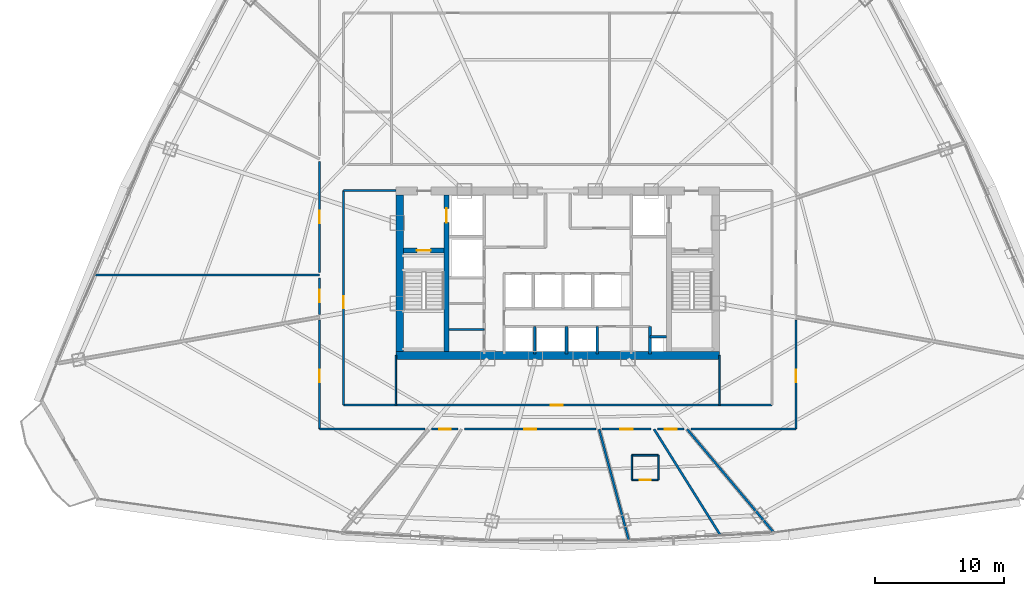
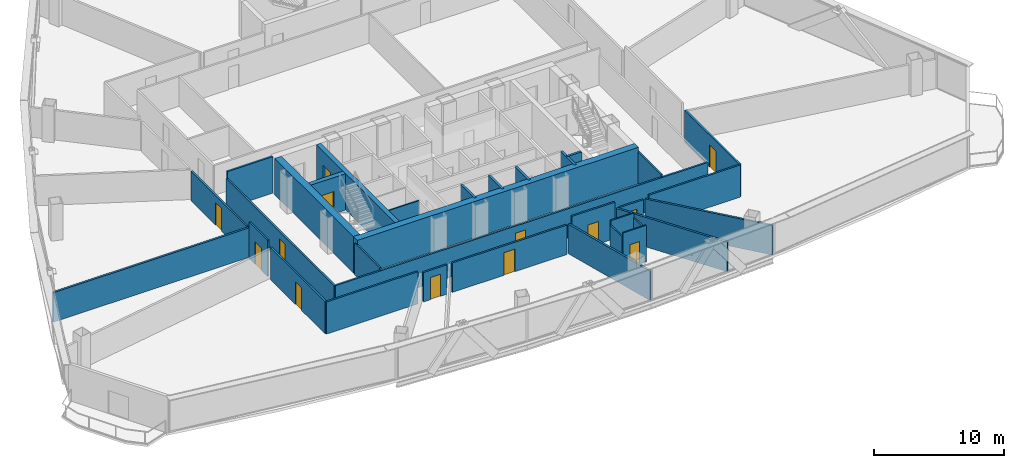
# One storey, part 32 of 39: 33 walls, 13 doors, 13 openings.
"""IFC4 building model written with IfcOpenShell, lengths in metres."""

from ifc_helpers import new_model, si_unit, direction, frame, frame_2d, origin, origin_with_axes, place, context, subcontext, project, spatial, rectangle, extrude, source, transform, mapped, material, layer, layer_set, type_object, element, fill, save


model = new_model("IFC4")

# Units and contexts
model_context = context("Model", 3, precision=1e-05, world=origin(), true_north=direction((0.0, 1.0)))
body_context = subcontext(model_context, "Body", "Model", "MODEL_VIEW")
ifc_project = project(units=[si_unit("LENGTHUNIT", "METRE"), si_unit("AREAUNIT", "SQUARE_METRE"), si_unit("VOLUMEUNIT", "CUBIC_METRE"), si_unit("PLANEANGLEUNIT", "RADIAN"), si_unit("MASSUNIT", "GRAM", prefix="KILO"), si_unit("THERMODYNAMICTEMPERATUREUNIT", "KELVIN"), si_unit("POWERUNIT", "WATT")], contexts=[model_context])

# Site, building, storey
site_placement = place(None, origin())
site = spatial("IfcSite", under=ifc_project, at=site_placement, CompositionType="ELEMENT")
building_placement = place(site_placement, origin())
building = spatial("IfcBuilding", under=site, at=building_placement, Name="Yunzhuo Pagoda Commons", CompositionType="ELEMENT")
storey_placement = place(building_placement, frame((0.0, 0.0, 148.22998046875)))
storey = spatial("IfcBuildingStorey", under=building, at=storey_placement, Name="L37", CompositionType="ELEMENT", Elevation=148.22998046875)

# Walls
ifc_material_1 = material(Name="Concrete C60", Category="concrete")
ifc_layer_1 = layer(ifc_material_1, 0.60009765625)
ifc_layer_set_1 = layer_set([ifc_layer_1], Name="Concrete C60")
wall_type_1 = type_object("IfcWallType", Name="W-C02 Mid Core Shear Wall 600", PredefinedType="SHEAR", material=ifc_layer_set_1)
wall_1_placement = place(storey_placement, frame((35.5, 27.5, 0.0), z_axis=(0.0, 0.0, 1.0), x_axis=(1.0, 0.0, 0.0)))
element("IfcWall", 1, at=wall_1_placement, inside=storey, type_object=wall_type_1, Name="L37 core shear wall S", PredefinedType="SHEAR", context=body_context, shape_type="SweptSolid", body=[
    extrude(rectangle(XDim=25.0, YDim=0.60009765625, at=frame_2d((12.5, 0.0))), origin(), (0.0, 0.0, 1.0), 3.419921875),
])
wall_2_placement = place(storey_placement, frame((35.800048828125, 27.800048828125, 0.0), z_axis=(0.0, 0.0, 1.0), x_axis=(0.0, 1.0, 0.0)))
element("IfcWall", 2, at=wall_2_placement, inside=storey, type_object=wall_type_1, Name="L37 core shear wall W", PredefinedType="SHEAR", context=body_context, shape_type="SweptSolid", body=[
    extrude(rectangle(XDim=12.099853515625, YDim=0.60009765625, at=frame_2d((6.0498046875, 0.0))), origin(), (0.0, 0.0, 1.0), 3.419921875),
])

# Wall, opening, door
ifc_material_2 = material(Name="Gypsum plasterboard on acoustic stud")
ifc_layer_2 = layer(ifc_material_2, 0.155029296875)
ifc_layer_set_2 = layer_set([ifc_layer_2], Name="Gypsum plasterboard on acoustic stud")
wall_type_2 = type_object("IfcWallType", Name="W-COR2 Mid-Zone Rated Corridor Wall 155", PredefinedType="PARTITIONING", material=ifc_layer_set_2)
wall_3_placement = place(storey_placement, frame((31.449951171875, 23.64990234375, 0.0), z_axis=(0.0, 0.0, 1.0), x_axis=(0.0, 1.0, 0.0)))
wall_3 = element("IfcWall", 3, at=wall_3_placement, inside=storey, type_object=wall_type_2, Name="L37 interior wall IW-L37-SFLW", PredefinedType="PARTITIONING", context=body_context, shape_type="SweptSolid", body=[
    extrude(rectangle(XDim=16.60009765625, YDim=0.155029296875, at=frame_2d((8.300048828125, 0.0))), origin(), (0.0, 0.0, 1.0), 2.77001953125),
])
opening_1_placement = place(wall_3_placement, frame((7.5, 0.0, 0.0)))
opening_1 = element("IfcOpeningElement", 4, at=opening_1_placement, cuts=wall_3, Name="Opening D-12", PredefinedType="OPENING", context=body_context, shape_type="SweptSolid", body=[
    extrude(rectangle(XDim=0.89990234375, YDim=2.080078125, at=frame_2d((0.449951171875, 1.0400390625))), frame((0.0, 0.08740234375, 0.0), z_axis=(0.0, -1.0, 0.0), x_axis=(1.0, 0.0, 0.0)), (0.0, 0.0, 1.0), 0.175048828125),
])
ifc_material_3 = material(Name="Powder-coated aluminium and timber acoustic leaf", Category="wood")
door_type_1 = type_object("IfcDoorType", Name="D-12 Quiet Study Interior Door 900x2080", OperationType="NOTDEFINED", PredefinedType="DOOR", material=ifc_material_3)
shared_shape_1 = source(origin(), body_context, "Body", "SweptSolid", [
    extrude(rectangle(XDim=0.89990234375, YDim=2.080078125, at=frame_2d((0.449951171875, 1.0400390625))), frame((0.0, 0.02490234375, 0.0), z_axis=(0.0, -1.0, 0.0), x_axis=(1.0, 0.0, 0.0)), (0.0, 0.0, 1.0), 0.050048828125),
])
door_1_placement = place(opening_1_placement, origin_with_axes())
door_1 = element("IfcDoor", 5, at=door_1_placement, inside=storey, type_object=door_type_1, Name="L37 west study workroom door", OperationType="SINGLE_SWING_LEFT", OverallHeight=2.080078125, OverallWidth=0.89990234375, PredefinedType="DOOR", context=body_context, shape_type="MappedRepresentation", body=[
    mapped(shared_shape_1, transform((0.0, 0.0, 0.0), scale=1.0)),
])
fill(opening_1, door_1)

wall_4_placement = place(storey_placement, frame((31.449951171875, 23.64990234375, 0.0), z_axis=(0.0, 0.0, 1.0), x_axis=(1.0, 0.0, 0.0)))
wall_4 = element("IfcWall", 6, at=wall_4_placement, inside=storey, type_object=wall_type_2, Name="L37 interior wall IW-L37-SFLS", PredefinedType="PARTITIONING", context=body_context, shape_type="SweptSolid", body=[
    extrude(rectangle(XDim=33.10009765625, YDim=0.155029296875, at=frame_2d((16.550048828125, 0.0))), origin(), (0.0, 0.0, 1.0), 2.77001953125),
])
opening_2_placement = place(wall_4_placement, frame((16.0, 0.0, 0.0)))
opening_2 = element("IfcOpeningElement", 7, at=opening_2_placement, cuts=wall_4, Name="Opening D-04", PredefinedType="OPENING", context=body_context, shape_type="SweptSolid", body=[
    extrude(rectangle(XDim=0.919921875, YDim=2.10009765625, at=frame_2d((0.4599609375, 1.050048828125))), frame((0.0, 0.08740234375, 0.0), z_axis=(0.0, -1.0, 0.0), x_axis=(1.0, 0.0, 0.0)), (0.0, 0.0, 1.0), 0.175048828125),
])
door_type_2 = type_object("IfcDoorType", Name="D-04 Bedroom & Study Interior Door 920x2100", OperationType="NOTDEFINED", PredefinedType="DOOR", material=ifc_material_3)
shared_shape_2 = source(origin(), body_context, "Body", "SweptSolid", [
    extrude(rectangle(XDim=0.919921875, YDim=2.10009765625, at=frame_2d((0.4599609375, 1.050048828125))), frame((0.0, 0.02490234375, 0.0), z_axis=(0.0, -1.0, 0.0), x_axis=(1.0, 0.0, 0.0)), (0.0, 0.0, 1.0), 0.050048828125),
])
door_2_placement = place(opening_2_placement, frame((0.919921875, 0.0, 0.0), z_axis=(0.0, 0.0, 1.0), x_axis=(-1.0, 0.0, 0.0)))
door_2 = element("IfcDoor", 8, at=door_2_placement, inside=storey, type_object=door_type_2, Name="L37 south seminar room door", OperationType="SINGLE_SWING_RIGHT", OverallHeight=2.10009765625, OverallWidth=0.919921875, PredefinedType="DOOR", context=body_context, shape_type="MappedRepresentation", body=[
    mapped(shared_shape_2, transform((0.0, 0.0, 0.0), scale=1.0)),
])
fill(opening_2, door_2)

# Wall
wall_5_placement = place(storey_placement, frame((31.449951171875, 40.25, 0.0), z_axis=(0.0, 0.0, 1.0), x_axis=(1.0, 0.0, 0.0)))
element("IfcWall", 9, at=wall_5_placement, inside=storey, type_object=wall_type_2, Name="L37 interior wall IW-L37-SFLNW", PredefinedType="PARTITIONING", context=body_context, shape_type="SweptSolid", body=[
    extrude(rectangle(XDim=4.050048828125, YDim=0.155029296875, at=frame_2d((2.02490234375, 0.0))), origin(), (0.0, 0.0, 1.0), 3.419921875),
])

# Wall, opening, door
wall_6_placement = place(storey_placement, frame((29.60009765625, 21.800048828125, 0.0), z_axis=(0.0, 0.0, 1.0), x_axis=(0.0, 1.0, 0.0)))
wall_6 = element("IfcWall", 10, at=wall_6_placement, inside=storey, type_object=wall_type_2, Name="L37 interior wall IW-L37-CWL01", PredefinedType="PARTITIONING", context=body_context, shape_type="SweptSolid", body=[
    extrude(rectangle(XDim=8.43212890625, YDim=0.155029296875, at=frame_2d((4.216064453125, 0.0))), origin(), (0.0, 0.0, 1.0), 3.02001953125),
])
opening_3_placement = place(wall_6_placement, frame((3.622802734375, 0.0, 0.0)))
opening_3 = element("IfcOpeningElement", 11, at=opening_3_placement, cuts=wall_6, Name="Opening D-07", PredefinedType="OPENING", context=body_context, shape_type="SweptSolid", body=[
    extrude(rectangle(XDim=0.9599609375, YDim=2.1201171875, at=frame_2d((0.47998046875, 1.06005859375))), frame((0.0, 0.08740234375, 0.0), z_axis=(0.0, -1.0, 0.0), x_axis=(1.0, 0.0, 0.0)), (0.0, 0.0, 1.0), 0.175048828125),
])
ifc_material_4 = material(Name="Galvanized fire-resisting metal leaf")
door_type_3 = type_object("IfcDoorType", Name="D-07 Mid-Zone Suite Entrance Fire Door 960x2120", OperationType="NOTDEFINED", PredefinedType="DOOR", material=ifc_material_4)
shared_shape_3 = source(origin(), body_context, "Body", "SweptSolid", [
    extrude(rectangle(XDim=0.9599609375, YDim=2.1201171875, at=frame_2d((0.47998046875, 1.06005859375))), frame((0.0, 0.02490234375, 0.0), z_axis=(0.0, -1.0, 0.0), x_axis=(1.0, 0.0, 0.0)), (0.0, 0.0, 1.0), 0.050048828125),
])
door_3_placement = place(opening_3_placement, origin_with_axes())
door_3 = element("IfcDoor", 12, at=door_3_placement, inside=storey, type_object=door_type_3, Name="L37 unit 09 entrance door", OperationType="SINGLE_SWING_RIGHT", OverallHeight=2.1201171875, OverallWidth=0.9599609375, PredefinedType="DOOR", context=body_context, shape_type="MappedRepresentation", body=[
    mapped(shared_shape_3, transform((0.0, 0.0, 0.0), scale=1.0)),
])
fill(opening_3, door_3)

wall_7_placement = place(storey_placement, frame((29.60009765625, 30.67529296875, 0.0), z_axis=(0.0, 0.0, 1.0), x_axis=(0.0, 1.0, 0.0)))
wall_7 = element("IfcWall", 13, at=wall_7_placement, inside=storey, type_object=wall_type_2, Name="L37 interior wall IW-L37-CWL02", PredefinedType="PARTITIONING", context=body_context, shape_type="SweptSolid", body=[
    extrude(rectangle(XDim=2.8046875, YDim=0.155029296875, at=frame_2d((1.40234375, 0.0))), origin(), (0.0, 0.0, 1.0), 3.419921875),
])
opening_4_placement = place(wall_7_placement, frame((0.927490234375, 0.0, 0.0)))
opening_4 = element("IfcOpeningElement", 14, at=opening_4_placement, cuts=wall_7, Name="Opening D-07", PredefinedType="OPENING", context=body_context, shape_type="SweptSolid", body=[
    extrude(rectangle(XDim=0.9599609375, YDim=2.1201171875, at=frame_2d((0.47998046875, 1.06005859375))), frame((0.0, 0.08740234375, 0.0), z_axis=(0.0, -1.0, 0.0), x_axis=(1.0, 0.0, 0.0)), (0.0, 0.0, 1.0), 0.175048828125),
])
door_4_placement = place(opening_4_placement, origin_with_axes())
door_4 = element("IfcDoor", 15, at=door_4_placement, inside=storey, type_object=door_type_3, Name="L37 unit 08 entrance door", OperationType="SINGLE_SWING_LEFT", OverallHeight=2.1201171875, OverallWidth=0.9599609375, PredefinedType="DOOR", context=body_context, shape_type="MappedRepresentation", body=[
    mapped(shared_shape_3, transform((0.0, 0.0, 0.0), scale=1.0)),
])
fill(opening_4, door_4)

wall_8_placement = place(storey_placement, frame((29.60009765625, 33.919921875, 0.0), z_axis=(0.0, 0.0, 1.0), x_axis=(0.0, 1.0, 0.0)))
wall_8 = element("IfcWall", 16, at=wall_8_placement, inside=storey, type_object=wall_type_2, Name="L37 interior wall IW-L37-CWL03", PredefinedType="PARTITIONING", context=body_context, shape_type="SweptSolid", body=[
    extrude(rectangle(XDim=8.53466796875, YDim=0.155029296875, at=frame_2d((4.267333984375, 0.0))), origin(), (0.0, 0.0, 1.0), 2.77001953125),
])
opening_5_placement = place(wall_8_placement, frame((3.792236328125, 0.0, 0.0)))
opening_5 = element("IfcOpeningElement", 17, at=opening_5_placement, cuts=wall_8, Name="Opening D-07", PredefinedType="OPENING", context=body_context, shape_type="SweptSolid", body=[
    extrude(rectangle(XDim=0.9599609375, YDim=2.1201171875, at=frame_2d((0.47998046875, 1.06005859375))), frame((0.0, 0.08740234375, 0.0), z_axis=(0.0, -1.0, 0.0), x_axis=(1.0, 0.0, 0.0)), (0.0, 0.0, 1.0), 0.175048828125),
])
door_5_placement = place(opening_5_placement, origin_with_axes())
door_5 = element("IfcDoor", 18, at=door_5_placement, inside=storey, type_object=door_type_3, Name="L37 Resident Co-Living Commons Hall door", OperationType="SINGLE_SWING_RIGHT", OverallHeight=2.1201171875, OverallWidth=0.9599609375, PredefinedType="DOOR", context=body_context, shape_type="MappedRepresentation", body=[
    mapped(shared_shape_3, transform((0.0, 0.0, 0.0), scale=1.0)),
])
fill(opening_5, door_5)

wall_9_placement = place(storey_placement, frame((66.39990234375, 30.232177734375, 0.0), z_axis=(0.0, 0.0, 1.0), x_axis=(0.0, -1.0, 0.0)))
wall_9 = element("IfcWall", 19, at=wall_9_placement, inside=storey, type_object=wall_type_2, Name="L37 interior wall IW-L37-CWL12", PredefinedType="PARTITIONING", context=body_context, shape_type="SweptSolid", body=[
    extrude(rectangle(XDim=8.43212890625, YDim=0.155029296875, at=frame_2d((4.216064453125, 0.0))), origin(), (0.0, 0.0, 1.0), 3.02001953125),
])
opening_6_placement = place(wall_9_placement, frame((3.859375, 0.0, 0.0)))
opening_6 = element("IfcOpeningElement", 20, at=opening_6_placement, cuts=wall_9, Name="Opening D-07", PredefinedType="OPENING", context=body_context, shape_type="SweptSolid", body=[
    extrude(rectangle(XDim=0.9599609375, YDim=2.1201171875, at=frame_2d((0.47998046875, 1.06005859375))), frame((0.0, 0.08740234375, 0.0), z_axis=(0.0, -1.0, 0.0), x_axis=(1.0, 0.0, 0.0)), (0.0, 0.0, 1.0), 0.175048828125),
])
door_6_placement = place(opening_6_placement, origin_with_axes())
door_6 = element("IfcDoor", 21, at=door_6_placement, inside=storey, type_object=door_type_3, Name="L37 unit 14 entrance door", OperationType="SINGLE_SWING_LEFT", OverallHeight=2.1201171875, OverallWidth=0.9599609375, PredefinedType="DOOR", context=body_context, shape_type="MappedRepresentation", body=[
    mapped(shared_shape_3, transform((0.0, 0.0, 0.0), scale=1.0)),
])
fill(opening_6, door_6)

# Wall
wall_10_placement = place(storey_placement, frame((66.39990234375, 21.800048828125, 0.0), z_axis=(0.0, 0.0, 1.0), x_axis=(-1.0, 0.0, 0.0)))
element("IfcWall", 22, at=wall_10_placement, inside=storey, type_object=wall_type_2, Name="L37 interior wall IW-L37-CWL13", PredefinedType="PARTITIONING", context=body_context, shape_type="SweptSolid", body=[
    extrude(rectangle(XDim=8.12744140625, YDim=0.155029296875, at=frame_2d((4.063720703125, 0.0))), origin(), (0.0, 0.0, 1.0), 3.02001953125),
])

# Wall, opening, door
wall_11_placement = place(storey_placement, frame((57.765380859375, 21.800048828125, 0.0), z_axis=(0.0, 0.0, 1.0), x_axis=(-1.0, 0.0, 0.0)))
wall_11 = element("IfcWall", 23, at=wall_11_placement, inside=storey, type_object=wall_type_2, Name="L37 interior wall IW-L37-CWL14", PredefinedType="PARTITIONING", context=body_context, shape_type="SweptSolid", body=[
    extrude(rectangle(XDim=2.070068359375, YDim=0.155029296875, at=frame_2d((1.03515625, 0.0))), origin(), (0.0, 0.0, 1.0), 2.77001953125),
])
opening_7_placement = place(wall_11_placement, frame((0.5947265625, 0.0, 0.0)))
opening_7 = element("IfcOpeningElement", 24, at=opening_7_placement, cuts=wall_11, Name="Opening D-12", PredefinedType="OPENING", context=body_context, shape_type="SweptSolid", body=[
    extrude(rectangle(XDim=0.89990234375, YDim=2.080078125, at=frame_2d((0.449951171875, 1.0400390625))), frame((0.0, 0.08740234375, 0.0), z_axis=(0.0, -1.0, 0.0), x_axis=(1.0, 0.0, 0.0)), (0.0, 0.0, 1.0), 0.175048828125),
])
door_7_placement = place(opening_7_placement, origin_with_axes())
door_7 = element("IfcDoor", 25, at=door_7_placement, inside=storey, type_object=door_type_1, Name="L37 study lounge 13 door", OperationType="SINGLE_SWING_RIGHT", OverallHeight=2.080078125, OverallWidth=0.89990234375, PredefinedType="DOOR", context=body_context, shape_type="MappedRepresentation", body=[
    mapped(shared_shape_1, transform((0.0, 0.0, 0.0), scale=1.0)),
])
fill(opening_7, door_7)

wall_12_placement = place(storey_placement, frame((55.216064453125, 21.800048828125, 0.0), z_axis=(0.0, 0.0, 1.0), x_axis=(-1.0, 0.0, 0.0)))
wall_12 = element("IfcWall", 26, at=wall_12_placement, inside=storey, type_object=wall_type_2, Name="L37 interior wall IW-L37-CWL15", PredefinedType="PARTITIONING", context=body_context, shape_type="SweptSolid", body=[
    extrude(rectangle(XDim=3.799560546875, YDim=0.155029296875, at=frame_2d((1.89990234375, 0.0))), origin(), (0.0, 0.0, 1.0), 3.419921875),
])
opening_8_placement = place(wall_12_placement, frame((1.4287109375, 0.0, 0.0)))
opening_8 = element("IfcOpeningElement", 27, at=opening_8_placement, cuts=wall_12, Name="Opening D-07", PredefinedType="OPENING", context=body_context, shape_type="SweptSolid", body=[
    extrude(rectangle(XDim=0.9599609375, YDim=2.1201171875, at=frame_2d((0.47998046875, 1.06005859375))), frame((0.0, 0.08740234375, 0.0), z_axis=(0.0, -1.0, 0.0), x_axis=(1.0, 0.0, 0.0)), (0.0, 0.0, 1.0), 0.175048828125),
])
door_8_placement = place(opening_8_placement, origin_with_axes())
door_8 = element("IfcDoor", 28, at=door_8_placement, inside=storey, type_object=door_type_3, Name="L37 unit 12 entrance door", OperationType="SINGLE_SWING_LEFT", OverallHeight=2.1201171875, OverallWidth=0.9599609375, PredefinedType="DOOR", context=body_context, shape_type="MappedRepresentation", body=[
    mapped(shared_shape_3, transform((0.0, 0.0, 0.0), scale=1.0)),
])
fill(opening_8, door_8)

wall_13_placement = place(storey_placement, frame((50.96875, 21.800048828125, 0.0), z_axis=(0.0, 0.0, 1.0), x_axis=(-1.0, 0.0, 0.0)))
wall_13 = element("IfcWall", 29, at=wall_13_placement, inside=storey, type_object=wall_type_2, Name="L37 interior wall IW-L37-CWL16", PredefinedType="PARTITIONING", context=body_context, shape_type="SweptSolid", body=[
    extrude(rectangle(XDim=10.184814453125, YDim=0.155029296875, at=frame_2d((5.09228515625, 0.0))), origin(), (0.0, 0.0, 1.0), 2.77001953125),
])
opening_9_placement = place(wall_13_placement, frame((4.617431640625, 0.0, 0.0)))
opening_9 = element("IfcOpeningElement", 30, at=opening_9_placement, cuts=wall_13, Name="Opening D-07", PredefinedType="OPENING", context=body_context, shape_type="SweptSolid", body=[
    extrude(rectangle(XDim=0.9599609375, YDim=2.1201171875, at=frame_2d((0.47998046875, 1.06005859375))), frame((0.0, 0.08740234375, 0.0), z_axis=(0.0, -1.0, 0.0), x_axis=(1.0, 0.0, 0.0)), (0.0, 0.0, 1.0), 0.175048828125),
])
door_9_placement = place(opening_9_placement, origin_with_axes())
door_9 = element("IfcDoor", 31, at=door_9_placement, inside=storey, type_object=door_type_3, Name="L37 Academic Reading Commons 2 door", OperationType="SINGLE_SWING_RIGHT", OverallHeight=2.1201171875, OverallWidth=0.9599609375, PredefinedType="DOOR", context=body_context, shape_type="MappedRepresentation", body=[
    mapped(shared_shape_3, transform((0.0, 0.0, 0.0), scale=1.0)),
])
fill(opening_9, door_9)

wall_14_placement = place(storey_placement, frame((40.3046875, 21.800048828125, 0.0), z_axis=(0.0, 0.0, 1.0), x_axis=(-1.0, 0.0, 0.0)))
wall_14 = element("IfcWall", 32, at=wall_14_placement, inside=storey, type_object=wall_type_2, Name="L37 interior wall IW-L37-CWL17", PredefinedType="PARTITIONING", context=body_context, shape_type="SweptSolid", body=[
    extrude(rectangle(XDim=2.070068359375, YDim=0.155029296875, at=frame_2d((1.03515625, 0.0))), origin(), (0.0, 0.0, 1.0), 2.77001953125),
])
opening_10_placement = place(wall_14_placement, frame((0.555419921875, 0.0, 0.0)))
opening_10 = element("IfcOpeningElement", 33, at=opening_10_placement, cuts=wall_14, Name="Opening D-12", PredefinedType="OPENING", context=body_context, shape_type="SweptSolid", body=[
    extrude(rectangle(XDim=0.89990234375, YDim=2.080078125, at=frame_2d((0.449951171875, 1.0400390625))), frame((0.0, 0.08740234375, 0.0), z_axis=(0.0, -1.0, 0.0), x_axis=(1.0, 0.0, 0.0)), (0.0, 0.0, 1.0), 0.175048828125),
])
door_10_placement = place(opening_10_placement, origin_with_axes())
door_10 = element("IfcDoor", 34, at=door_10_placement, inside=storey, type_object=door_type_1, Name="L37 study lounge 10 door", OperationType="SINGLE_SWING_LEFT", OverallHeight=2.080078125, OverallWidth=0.89990234375, PredefinedType="DOOR", context=body_context, shape_type="MappedRepresentation", body=[
    mapped(shared_shape_1, transform((0.0, 0.0, 0.0), scale=1.0)),
])
fill(opening_10, door_10)

# Walls
wall_15_placement = place(storey_placement, frame((37.7275390625, 21.800048828125, 0.0), z_axis=(0.0, 0.0, 1.0), x_axis=(-1.0, 0.0, 0.0)))
element("IfcWall", 35, at=wall_15_placement, inside=storey, type_object=wall_type_2, Name="L37 interior wall IW-L37-CWL18", PredefinedType="PARTITIONING", context=body_context, shape_type="SweptSolid", body=[
    extrude(rectangle(XDim=8.12744140625, YDim=0.155029296875, at=frame_2d((4.063720703125, 0.0))), origin(), (0.0, 0.0, 1.0), 3.02001953125),
])
ifc_layer_3 = layer(ifc_material_2, 0.1201171875)
ifc_layer_set_3 = layer_set([ifc_layer_3], Name="Gypsum plasterboard on acoustic stud")
wall_type_3 = type_object("IfcWallType", Name="W-PRT1 Suite & Bathroom Partition 120", PredefinedType="PARTITIONING", material=ifc_layer_set_3)
wall_16_placement = place(storey_placement, frame((39.60009765625, 29.5, 0.0), z_axis=(0.0, 0.0, 1.0), x_axis=(1.0, 0.0, 0.0)))
element("IfcWall", 36, at=wall_16_placement, inside=storey, type_object=wall_type_3, Name="L37 interior wall IW-L37-CC1", PredefinedType="PARTITIONING", context=body_context, shape_type="SweptSolid", body=[
    extrude(rectangle(XDim=2.719970703125, YDim=0.1201171875, at=frame_2d((1.35986328125, 0.0))), origin(), (0.0, 0.0, 1.0), 3.419921875),
])
for number, where, z_axis, x_axis, name in (
    (37, (35.5, 23.64990234375, 0.0), (0.0, 0.0, 1.0), (0.0, 1.0, 0.0), "L37 interior wall IW-L37-SFLD1"),
    (38, (60.5, 23.64990234375, 0.0), (0.0, 0.0, 1.0), (0.0, 1.0, 0.0), "L37 interior wall IW-L37-SFLD2"),
):
    element("IfcWall", number, at=place(storey_placement, frame(where, z_axis=z_axis, x_axis=x_axis)), inside=storey, type_object=wall_type_3, Name=name, PredefinedType="PARTITIONING", context=body_context, shape_type="SweptSolid", body=[
        extrude(rectangle(XDim=3.85009765625, YDim=0.1201171875, at=frame_2d((1.925048828125, 0.0))), origin(), (0.0, 0.0, 1.0), 3.02001953125),
    ])

# Wall, opening, door
wall_17_placement = place(storey_placement, frame((53.714111328125, 17.889892578125, 0.0), z_axis=(0.0, 0.0, 1.0), x_axis=(1.0, 0.0, 0.0)))
wall_17 = element("IfcWall", 39, at=wall_17_placement, inside=storey, type_object=wall_type_3, Name="L37 interior wall IW-L37-B12S", PredefinedType="PARTITIONING", context=body_context, shape_type="SweptSolid", body=[
    extrude(rectangle(XDim=2.0498046875, YDim=0.1201171875, at=frame_2d((1.02490234375, 0.0))), origin(), (0.0, 0.0, 1.0), 3.419921875),
])
opening_11_placement = place(wall_17_placement, frame((0.60009765625, 0.0, 0.0)))
opening_11 = element("IfcOpeningElement", 40, at=opening_11_placement, cuts=wall_17, Name="Opening D-05", PredefinedType="OPENING", context=body_context, shape_type="SweptSolid", body=[
    extrude(rectangle(XDim=0.85009765625, YDim=2.10009765625, at=frame_2d((0.425048828125, 1.050048828125))), frame((0.0, 0.070068359375, 0.0), z_axis=(0.0, -1.0, 0.0), x_axis=(1.0, 0.0, 0.0)), (0.0, 0.0, 1.0), 0.14013671875),
])
door_type_4 = type_object("IfcDoorType", Name="D-05 En-Suite Bathroom Door 850x2100", OperationType="NOTDEFINED", PredefinedType="DOOR", material=ifc_material_3)
shared_shape_4 = source(origin(), body_context, "Body", "SweptSolid", [
    extrude(rectangle(XDim=0.85009765625, YDim=2.10009765625, at=frame_2d((0.425048828125, 1.050048828125))), frame((0.0, 0.02490234375, 0.0), z_axis=(0.0, -1.0, 0.0), x_axis=(1.0, 0.0, 0.0)), (0.0, 0.0, 1.0), 0.050048828125),
])
door_11_placement = place(opening_11_placement, frame((0.85009765625, 0.0, 0.0), z_axis=(0.0, 0.0, 1.0), x_axis=(-1.0, 0.0, 0.0)))
door_11 = element("IfcDoor", 41, at=door_11_placement, inside=storey, type_object=door_type_4, Name="L37 unit 12 bathroom door", OperationType="SINGLE_SWING_LEFT", OverallHeight=2.10009765625, OverallWidth=0.85009765625, PredefinedType="DOOR", context=body_context, shape_type="MappedRepresentation", body=[
    mapped(shared_shape_4, transform((0.0, 0.0, 0.0), scale=1.0)),
])
fill(opening_11, door_11)

# Walls
wall_18_placement = place(storey_placement, frame((55.763916015625, 17.889892578125, 0.0), z_axis=(0.0, 0.0, 1.0), x_axis=(0.0, 1.0, 0.0)))
element("IfcWall", 42, at=wall_18_placement, inside=storey, type_object=wall_type_3, Name="L37 interior wall IW-L37-B12E", PredefinedType="PARTITIONING", context=body_context, shape_type="SweptSolid", body=[
    extrude(rectangle(XDim=1.900146484375, YDim=0.1201171875, at=frame_2d((0.9501953125, 0.0))), origin(), (0.0, 0.0, 1.0), 3.02001953125),
])
wall_19_placement = place(storey_placement, frame((55.763916015625, 19.7900390625, 0.0), z_axis=(0.0, 0.0, 1.0), x_axis=(-1.0, 0.0, 0.0)))
element("IfcWall", 43, at=wall_19_placement, inside=storey, type_object=wall_type_3, Name="L37 interior wall IW-L37-B12N", PredefinedType="PARTITIONING", context=body_context, shape_type="SweptSolid", body=[
    extrude(rectangle(XDim=2.0498046875, YDim=0.1201171875, at=frame_2d((1.02490234375, 0.0))), origin(), (0.0, 0.0, 1.0), 3.419921875),
])
wall_20_placement = place(storey_placement, frame((53.714111328125, 19.7900390625, 0.0), z_axis=(0.0, 0.0, 1.0), x_axis=(0.0, -1.0, 0.0)))
element("IfcWall", 44, at=wall_20_placement, inside=storey, type_object=wall_type_3, Name="L37 interior wall IW-L37-B12W", PredefinedType="PARTITIONING", context=body_context, shape_type="SweptSolid", body=[
    extrude(rectangle(XDim=1.900146484375, YDim=0.1201171875, at=frame_2d((0.9501953125, 0.0))), origin(), (0.0, 0.0, 1.0), 3.02001953125),
])
ifc_layer_4 = layer(ifc_material_2, 0.175048828125)
ifc_layer_set_4 = layer_set([ifc_layer_4], Name="Gypsum plasterboard on acoustic stud")
wall_type_4 = type_object("IfcWallType", Name="W-PRT3 Mid-Zone Demising Wall 175", PredefinedType="PARTITIONING", material=ifc_layer_set_4)
wall_21_placement = place(storey_placement, frame((29.60009765625, 33.699951171875, 0.0), z_axis=(0.0, 0.0, 1.0), x_axis=(-1.0, 0.0, 0.0)))
element("IfcWall", 45, at=wall_21_placement, inside=storey, type_object=wall_type_4, Name="L37 interior wall IW-L37-RAD07", PredefinedType="PARTITIONING", context=body_context, shape_type="SweptSolid", body=[
    extrude(rectangle(XDim=17.403076171875, YDim=0.175048828125, at=frame_2d((8.70166015625, 0.0))), origin(), (0.0, 0.0, 1.0), 2.77001953125),
])
wall_22_placement = place(storey_placement, frame((51.188720703125, 21.800048828125, 0.0), z_axis=(0.0, 0.0, 1.0), x_axis=(0.258794890482, -0.965932298177, 0.0)))
element("IfcWall", 46, at=wall_22_placement, inside=storey, type_object=wall_type_4, Name="L37 interior wall IW-L37-RAD11", PredefinedType="PARTITIONING", context=body_context, shape_type="SweptSolid", body=[
    extrude(rectangle(XDim=8.92333984375, YDim=0.175048828125, at=frame_2d((4.461669921875, 0.0))), origin(), (0.0, 0.0, 1.0), 2.77001953125),
])
wall_23_placement = place(storey_placement, frame((55.435791015625, 21.800048828125, 0.0), z_axis=(0.0, 0.0, 1.0), x_axis=(0.529931002604, -0.848040761096, 0.0)))
element("IfcWall", 47, at=wall_23_placement, inside=storey, type_object=wall_type_4, Name="L37 interior wall IW-L37-RAD12", PredefinedType="PARTITIONING", context=body_context, shape_type="SweptSolid", body=[
    extrude(rectangle(XDim=9.69091796875, YDim=0.175048828125, at=frame_2d((4.845458984375, 0.0))), origin(), (0.0, 0.0, 1.0), 2.77001953125),
])
wall_24_placement = place(storey_placement, frame((57.9853515625, 21.800048828125, 0.0), z_axis=(0.0, 0.0, 1.0), x_axis=(0.642781677101, -0.76604942111, 0.0)))
element("IfcWall", 48, at=wall_24_placement, inside=storey, type_object=wall_type_4, Name="L37 interior wall IW-L37-RAD13", PredefinedType="PARTITIONING", context=body_context, shape_type="SweptSolid", body=[
    extrude(rectangle(XDim=10.423828125, YDim=0.175048828125, at=frame_2d((5.2119140625, 0.0))), origin(), (0.0, 0.0, 1.0), 2.77001953125),
])

# Wall, opening, door
ifc_layer_5 = layer(ifc_material_1, 0.39990234375)
ifc_layer_set_5 = layer_set([ifc_layer_5], Name="Concrete C60")
wall_type_5 = type_object("IfcWallType", Name="W-S01 Internal Core Shear Web 400", PredefinedType="SHEAR", material=ifc_layer_set_5)
wall_25_placement = place(storey_placement, frame((39.39990234375, 27.800048828125, 0.0), z_axis=(0.0, 0.0, 1.0), x_axis=(0.0, 1.0, 0.0)))
wall_25 = element("IfcWall", 49, at=wall_25_placement, inside=storey, type_object=wall_type_5, Name="L37 core shear wall WEBW", PredefinedType="SHEAR", context=body_context, shape_type="SweptSolid", body=[
    extrude(rectangle(XDim=12.099853515625, YDim=0.39990234375, at=frame_2d((6.0498046875, 0.0))), origin(), (0.0, 0.0, 1.0), 3.419921875),
])
opening_12_placement = place(wall_25_placement, frame((9.949951171875, 0.0, 0.0)))
opening_12 = element("IfcOpeningElement", 50, at=opening_12_placement, cuts=wall_25, Name="Opening LD-01", PredefinedType="OPENING", context=body_context, shape_type="SweptSolid", body=[
    extrude(rectangle(XDim=1.10009765625, YDim=2.10009765625, at=frame_2d((0.550048828125, 1.050048828125))), frame((0.0, 0.2099609375, 0.0), z_axis=(0.0, -1.0, 0.0), x_axis=(1.0, 0.0, 0.0)), (0.0, 0.0, 1.0), 0.419921875),
])
door_type_5 = type_object("IfcDoorType", Name="LD-01 Firefighting Lift Landing Door 1100x2100", OperationType="DOUBLE_DOOR_SLIDING", PredefinedType="DOOR", material=ifc_material_4)
shared_shape_5 = source(origin(), body_context, "Body", "SweptSolid", [
    extrude(rectangle(XDim=1.10009765625, YDim=2.10009765625, at=frame_2d((0.550048828125, 1.050048828125))), frame((0.0, 0.02490234375, 0.0), z_axis=(0.0, -1.0, 0.0), x_axis=(1.0, 0.0, 0.0)), (0.0, 0.0, 1.0), 0.050048828125),
])
door_12_placement = place(opening_12_placement, frame((1.10009765625, 0.0, 0.0), z_axis=(0.0, 0.0, 1.0), x_axis=(-1.0, 0.0, 0.0)))
door_12 = element("IfcDoor", 51, at=door_12_placement, inside=storey, type_object=door_type_5, Name="L37 Firefighting lift FL-1 landing door", OperationType="DOUBLE_DOOR_SLIDING", OverallHeight=2.10009765625, OverallWidth=1.10009765625, PredefinedType="DOOR", context=body_context, shape_type="MappedRepresentation", body=[
    mapped(shared_shape_5, transform((0.0, 0.0, 0.0), scale=1.0)),
])
fill(opening_12, door_12)

wall_26_placement = place(storey_placement, frame((36.10009765625, 35.60009765625, 0.0), z_axis=(0.0, 0.0, 1.0), x_axis=(1.0, 0.0, 0.0)))
wall_26 = element("IfcWall", 52, at=wall_26_placement, inside=storey, type_object=wall_type_5, Name="L37 core shear wall STW", PredefinedType="SHEAR", context=body_context, shape_type="SweptSolid", body=[
    extrude(rectangle(XDim=3.099853515625, YDim=0.39990234375, at=frame_2d((1.5498046875, 0.0))), origin(), (0.0, 0.0, 1.0), 3.419921875),
])
opening_13_placement = place(wall_26_placement, frame((1.02001953125, 0.0, 0.0)))
opening_13 = element("IfcOpeningElement", 53, at=opening_13_placement, cuts=wall_26, Name="Opening D-01", PredefinedType="OPENING", context=body_context, shape_type="SweptSolid", body=[
    extrude(rectangle(XDim=1.050048828125, YDim=2.10009765625, at=frame_2d((0.52490234375, 1.050048828125))), frame((0.0, 0.2099609375, 0.0), z_axis=(0.0, -1.0, 0.0), x_axis=(1.0, 0.0, 0.0)), (0.0, 0.0, 1.0), 0.419921875),
])
door_type_6 = type_object("IfcDoorType", Name="D-01 Smokeproof Stair Fire Door 1050x2100", OperationType="NOTDEFINED", PredefinedType="DOOR", material=ifc_material_4)
shared_shape_6 = source(origin(), body_context, "Body", "SweptSolid", [
    extrude(rectangle(XDim=1.050048828125, YDim=2.10009765625, at=frame_2d((0.52490234375, 1.050048828125))), frame((0.0, 0.02490234375, 0.0), z_axis=(0.0, -1.0, 0.0), x_axis=(1.0, 0.0, 0.0)), (0.0, 0.0, 1.0), 0.050048828125),
])
door_13_placement = place(opening_13_placement, frame((1.050048828125, 0.0, 0.0), z_axis=(0.0, 0.0, 1.0), x_axis=(-1.0, 0.0, 0.0)))
door_13 = element("IfcDoor", 54, at=door_13_placement, inside=storey, type_object=door_type_6, Name="L37 Stair ST1 fire door", OperationType="SINGLE_SWING_LEFT", OverallHeight=2.10009765625, OverallWidth=1.050048828125, PredefinedType="DOOR", context=body_context, shape_type="MappedRepresentation", body=[
    mapped(shared_shape_6, transform((0.0, 0.0, 0.0), scale=1.0)),
])
fill(opening_13, door_13)

# Walls
ifc_material_5 = material(Name="Concrete C40", Category="concrete")
ifc_layer_6 = layer(ifc_material_5, 0.199951171875)
ifc_layer_set_6 = layer_set([ifc_layer_6], Name="Concrete C40")
wall_type_6 = type_object("IfcWallType", Name="W-SHF Shaft & Stair Enclosure Wall 200", PredefinedType="SOLIDWALL", material=ifc_layer_set_6)
for number, where, z_axis, x_axis, name in (
    (55, (51.050048828125, 27.60009765625, 0.0), (0.0, 0.0, 1.0), (0.0, 1.0, 0.0), "L37 interior wall IW-L37-PLHE"),
    (56, (46.22509765625, 27.60009765625, 0.0), (0.0, 0.0, 1.0), (0.0, 1.0, 0.0), "L37 interior wall IW-L37-PLHD1"),
    (57, (48.675048828125, 27.60009765625, 0.0), (0.0, 0.0, 1.0), (0.0, 1.0, 0.0), "L37 interior wall IW-L37-PLHD2"),
    (58, (55.1201171875, 27.60009765625, 0.0), (0.0, 0.0, 1.0), (0.0, 1.0, 0.0), "L37 interior wall IW-L37-RSHFW"),
):
    element("IfcWall", number, at=place(storey_placement, frame(where, z_axis=z_axis, x_axis=x_axis)), inside=storey, type_object=wall_type_6, Name=name, PredefinedType="SOLIDWALL", context=body_context, shape_type="SweptSolid", body=[
        extrude(rectangle(XDim=2.119873046875, YDim=0.199951171875, at=frame_2d((1.06005859375, 0.0))), origin(), (0.0, 0.0, 1.0), 3.419921875),
    ])
wall_27_placement = place(storey_placement, frame((55.1201171875, 28.949951171875, 0.0), z_axis=(0.0, 0.0, 1.0), x_axis=(1.0, 0.0, 0.0)))
element("IfcWall", 59, at=wall_27_placement, inside=storey, type_object=wall_type_6, Name="L37 interior wall IW-L37-RSHFN", PredefinedType="SOLIDWALL", context=body_context, shape_type="SweptSolid", body=[
    extrude(rectangle(XDim=1.27978515625, YDim=0.199951171875, at=frame_2d((0.639892578125, 0.0))), origin(), (0.0, 0.0, 1.0), 3.419921875),
])

save(model, "model.ifc")
